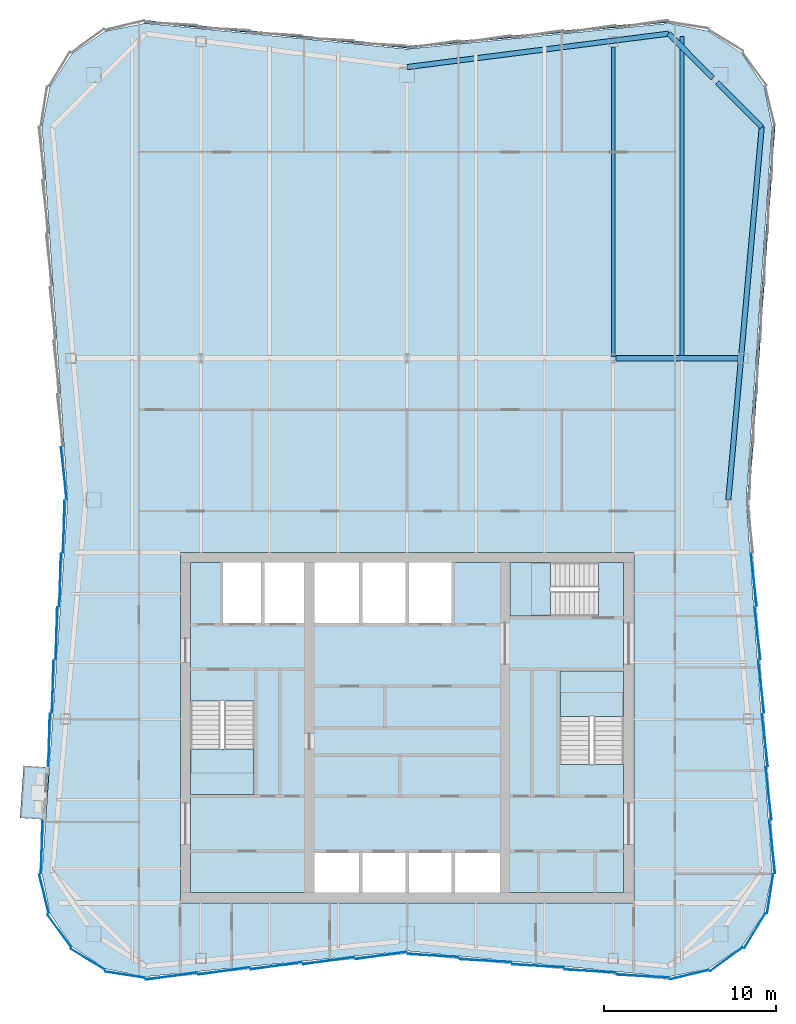
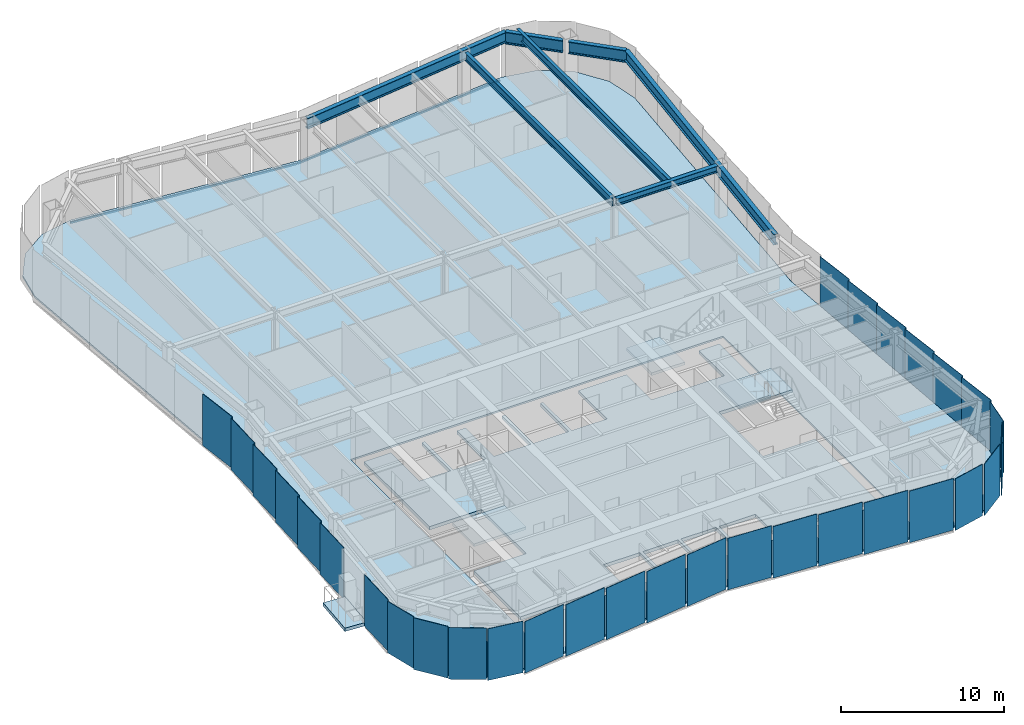
# One storey, part 4 of 10: 31 plates, 7 beams, 6 slabs, 3 members, 9 elements without a shape of their own.
"""IFC4 building model written with IfcOpenShell, lengths in metres."""

import ifcopenshell
import ifcopenshell.guid

model = None  # the IFC model being written
_history = None  # IfcOwnerHistory: only IFC2X3 demands one
_inside = {}  # id of a spatial element -> (the spatial element, [elements in it])
_under = {}  # id of a project, library or spatial element -> (it, [spatial elements below it])
_declared = {}  # id of a project -> (the project, [libraries it declares])
_typed = {}  # id of a type object -> (the type object, [elements of that type])
_made_of = {}  # id of a material, layer set ... -> (it, [elements and type objects made of it])


def new_model(schema):
    """Start an empty IFC model of exactly this schema.

    Asked for "IFC4X3", IfcOpenShell would pick the latest addendum, in which some entities
    have other attributes; the version numbers below select the first issue.
    IFC2X3 requires an IfcOwnerHistory on every rooted entity: one is made here for all.
    """
    global model, _history
    if schema == "IFC4X3":
        model = ifcopenshell.file(schema_version=(4, 3, 0, 0))
    else:
        model = ifcopenshell.file(schema=schema)
    _inside.clear()
    _under.clear()
    _declared.clear()
    _typed.clear()
    _made_of.clear()
    _history = None
    if model.schema == "IFC2X3":
        org = make("IfcOrganization", Name="unknown")
        user = make(
            "IfcPersonAndOrganization",
            ThePerson=make("IfcPerson", FamilyName="unknown"),
            TheOrganization=org,
        )
        app = make(
            "IfcApplication",
            ApplicationDeveloper=org,
            Version="unknown",
            ApplicationFullName="unknown",
            ApplicationIdentifier="unknown",
        )
        _history = make(
            "IfcOwnerHistory",
            OwningUser=user,
            OwningApplication=app,
            ChangeAction="ADDED",
            CreationDate=0,
        )
    return model


def make(cls, **values):
    """One entity of the class cls with the attributes given. An attribute that is None is left unset."""
    return model.create_entity(
        cls, **{name: value for name, value in values.items() if value is not None}
    )


def rooted(cls, **values):
    """An entity with a GlobalId (a new one), such as an element, a storey or a relation."""
    return make(cls, GlobalId=ifcopenshell.guid.new(), OwnerHistory=_history, **values)


def si_unit(unit_type, name, prefix=None):
    """IfcSIUnit, for example si_unit("LENGTHUNIT", "METRE", prefix="MILLI")."""
    return make("IfcSIUnit", UnitType=unit_type, Prefix=prefix, Name=name)


def assignment(units):
    """IfcUnitAssignment: the units of a project."""
    return None if units is None else make("IfcUnitAssignment", Units=units)


def point(xyz):
    """IfcCartesianPoint."""
    return None if xyz is None else make("IfcCartesianPoint", Coordinates=xyz)


def direction(xyz):
    """IfcDirection."""
    return None if xyz is None else make("IfcDirection", DirectionRatios=xyz)


def frame(location, z_axis=None, x_axis=None):
    """IfcAxis2Placement3D, a coordinate frame: its origin and axes. An axis left out is left unset."""
    return make(
        "IfcAxis2Placement3D",
        Location=point(location),
        Axis=direction(z_axis),
        RefDirection=direction(x_axis),
    )


def frame_2d(location, x_axis=None):
    """IfcAxis2Placement2D, a coordinate frame in the plane: its origin and x axis."""
    return make(
        "IfcAxis2Placement2D", Location=point(location), RefDirection=direction(x_axis)
    )


def origin():
    """The frame at (0, 0, 0) with its axes left unset."""
    return frame((0.0, 0.0, 0.0))


def origin_2d():
    """The frame at (0, 0) in the plane with its x axis left unset."""
    return frame_2d((0.0, 0.0))


def place(relative_to, where):
    """IfcLocalPlacement: puts the frame where relative to a parent placement (None: the world)."""
    return make(
        "IfcLocalPlacement", PlacementRelTo=relative_to, RelativePlacement=where
    )


def context(
    kind, dimensions, precision=None, world=None, true_north=None, identifier=None
):
    """IfcGeometricRepresentationContext, for example the 3D "Model" context."""
    return make(
        "IfcGeometricRepresentationContext",
        ContextIdentifier=identifier,
        ContextType=kind,
        CoordinateSpaceDimension=dimensions,
        Precision=precision,
        WorldCoordinateSystem=world,
        TrueNorth=true_north,
    )


def subcontext(parent, identifier, kind, view, scale=None):
    """IfcGeometricRepresentationSubContext, for example "Body" below "Model"."""
    return make(
        "IfcGeometricRepresentationSubContext",
        ContextIdentifier=identifier,
        ContextType=kind,
        ParentContext=parent,
        TargetScale=scale,
        TargetView=view,
    )


def project(units=None, contexts=None):
    """IfcProject with its units and contexts."""
    return rooted(
        "IfcProject",
        Name="project",
        RepresentationContexts=contexts,
        UnitsInContext=assignment(units),
    )


def spatial(cls, under=None, at=None, **own):
    """A site, building, storey or space (cls), placed at a placement, below another one or the project."""
    s = rooted(cls, ObjectPlacement=at, **own)
    if under is not None:
        _under.setdefault(under.id(), (under, []))[1].append(s)
    return s


def polyline(points):
    """IfcPolyline through the points."""
    return make("IfcPolyline", Points=[point(p) for p in points])


def profile(cls, at=None, kind="AREA", **sizes):
    """A parametric profile (cls). Its sizes go by their IFC names, for example OverallWidth=200.0."""
    return make(cls, ProfileType=kind, Position=at, **sizes)


def rectangle(**sizes):
    """IfcRectangleProfileDef."""
    return profile("IfcRectangleProfileDef", **sizes)


def i_section(**sizes):
    """IfcIShapeProfileDef."""
    return profile("IfcIShapeProfileDef", **sizes)


def outline(outer, holes=None, kind="AREA"):
    """IfcArbitraryClosedProfileDef: a profile drawn as a closed curve; with holes, ...WithVoids."""
    if holes is None:
        return make("IfcArbitraryClosedProfileDef", ProfileType=kind, OuterCurve=outer)
    return make(
        "IfcArbitraryProfileDefWithVoids",
        ProfileType=kind,
        OuterCurve=outer,
        InnerCurves=holes,
    )


def extrude(swept, where, along, depth):
    """IfcExtrudedAreaSolid: the profile swept, set in the frame where, extruded along a direction by depth."""
    return make(
        "IfcExtrudedAreaSolid",
        SweptArea=swept,
        Position=where,
        ExtrudedDirection=direction(along),
        Depth=depth,
    )


def shape(context_of_items, identifier, shape_type, items):
    """IfcShapeRepresentation: the items that make up one representation, for example the "Body"."""
    return make(
        "IfcShapeRepresentation",
        ContextOfItems=context_of_items,
        RepresentationIdentifier=identifier,
        RepresentationType=shape_type,
        Items=items,
    )


def material(Name=None, Category=None):
    """IfcMaterial."""
    return make("IfcMaterial", Name=Name, Category=Category)


def layer(
    of_material, thickness, ventilated=None, Name=None, Category=None, Priority=None
):
    """IfcMaterialLayer: one layer of a wall or slab, of a material (None: an air gap)."""
    return make(
        "IfcMaterialLayer",
        Material=of_material,
        LayerThickness=thickness,
        IsVentilated=ventilated,
        Name=Name,
        Category=Category,
        Priority=Priority,
    )


def layer_set(layers, Name=None):
    """IfcMaterialLayerSet."""
    return make("IfcMaterialLayerSet", MaterialLayers=layers, LayerSetName=Name)


def material_profile(
    of_material, cross_section, Name=None, Category=None, Priority=None
):
    """IfcMaterialProfile: a cross section and its material."""
    return make(
        "IfcMaterialProfile",
        Name=Name,
        Material=of_material,
        Profile=cross_section,
        Priority=Priority,
        Category=Category,
    )


def profile_set(profiles, Name=None, composite=None):
    """IfcMaterialProfileSet."""
    return make(
        "IfcMaterialProfileSet",
        Name=Name,
        MaterialProfiles=profiles,
        CompositeProfile=composite,
    )


def made_of(thing, what):
    """Note that an element or type object is made of a material, layer set ...; save() writes the relation."""
    if what is not None:
        _made_of.setdefault(what.id(), (what, []))[1].append(thing)
    return thing


def type_object(cls, material=None, **own):
    """A type object (cls), such as IfcWallType, which elements share."""
    return made_of(rooted(cls, **own), material)


def element(
    cls,
    number,
    at=None,
    inside=None,
    cuts=None,
    type_object=None,
    material=None,
    context=None,
    identifier="Body",
    shape_type=None,
    held_by="IfcProductDefinitionShape",
    body=None,
    shapes=None,
    **own,
):
    """One element of the class cls, such as IfcWall. Its Tag is "e" and its number.

    at: its placement. inside: the storey or other place that contains it. cuts: it is an
    opening in that element (IfcRelVoidsElement). A single representation is given by context,
    identifier, shape_type and body (its items); several are given by shapes. held_by: the class
    of the entity that holds the representations. save() writes the other relations.
    """
    e = rooted(cls, Tag="e%d" % number, ObjectPlacement=at, **own)
    if body is not None:
        shapes = [shape(context, identifier, shape_type, body)]
    if shapes is not None:
        e.Representation = make(held_by, Representations=shapes)
    if inside is not None:
        _inside.setdefault(inside.id(), (inside, []))[1].append(e)
    if cuts is not None:
        rooted(
            "IfcRelVoidsElement", RelatingBuildingElement=cuts, RelatedOpeningElement=e
        )
    if type_object is not None:
        _typed.setdefault(type_object.id(), (type_object, []))[1].append(e)
    return made_of(e, material)


def aggregate(whole, parts):
    """IfcRelAggregates: a whole, such as a stair, and the parts it consists of."""
    return rooted("IfcRelAggregates", RelatingObject=whole, RelatedObjects=parts)


def save(model, path):
    """Write the relations noted so far, then the file.

    IfcRelAggregates (storeys below a building ...), IfcRelContainedInSpatialStructure (elements
    in a storey), IfcRelDefinesByType, IfcRelAssociatesMaterial and IfcRelDeclares: one each for
    every whole, place, type object, material and project.
    """
    for whole, parts in _under.values():
        aggregate(whole, parts)
    for where, things in _inside.values():
        rooted(
            "IfcRelContainedInSpatialStructure",
            RelatedElements=things,
            RelatingStructure=where,
        )
    for kind, things in _typed.values():
        rooted("IfcRelDefinesByType", RelatedObjects=things, RelatingType=kind)
    for what, things in _made_of.values():
        rooted("IfcRelAssociatesMaterial", RelatedObjects=things, RelatingMaterial=what)
    for by, libraries in _declared.values():
        rooted("IfcRelDeclares", RelatingContext=by, RelatedDefinitions=libraries)
    model.write(path)


model = new_model("IFC4")

# Units and contexts
model_context = context("Model", 3, precision=1e-05, world=origin(), true_north=direction((0.0, 1.0)))
body_context = subcontext(model_context, "Body", "Model", "MODEL_VIEW")
ifc_project = project(units=[si_unit("LENGTHUNIT", "METRE"), si_unit("AREAUNIT", "SQUARE_METRE"), si_unit("VOLUMEUNIT", "CUBIC_METRE"), si_unit("PLANEANGLEUNIT", "RADIAN"), si_unit("MASSUNIT", "GRAM", prefix="KILO")], contexts=[model_context])

# Site, building, storey
site_placement = place(None, origin())
site = spatial("IfcSite", under=ifc_project, at=site_placement, CompositionType="ELEMENT")
building_placement = place(site_placement, origin())
building = spatial("IfcBuilding", under=site, at=building_placement, Name="Verdant Reach Tower", CompositionType="ELEMENT")
storey_placement = place(building_placement, frame((0.0, 0.0, 326.0)))
storey = spatial("IfcBuildingStorey", under=building, at=storey_placement, Name="L75", CompositionType="ELEMENT", Elevation=326.0)

# Curtain wall, member
ifc_material_1 = material(Name="Anodised aluminium", Category="aluminium")
curtain_wall_type = type_object("IfcCurtainWallType", Name="EN-CW SYSTEM Z5", PredefinedType="NOTDEFINED", material=ifc_material_1)
curtain_wall_1_placement = place(storey_placement, origin())
curtain_wall_1 = element("IfcCurtainWall", 1, at=curtain_wall_1_placement, inside=storey, type_object=curtain_wall_type, Name="Curtain wall east, L75", PredefinedType="NOTDEFINED")
ifc_material_profile_1 = material_profile(ifc_material_1, rectangle(XDim=0.10009765625, YDim=0.1298828125, at=origin_2d()), Name="Transom 130x100")
ifc_profile_set_1 = profile_set([ifc_material_profile_1], Name="Anodised aluminium")
member_type = type_object("IfcMemberType", Name="EN-TRANSOM Z5", PredefinedType="USERDEFINED", material=ifc_profile_set_1)
member_1_placement = place(storey_placement, frame((19.867431640625, 41.284912109375, -0.284912109375), z_axis=(0.068764705107, 0.997632906099, 0.0), x_axis=(-0.997632906099, 0.068764705107, 0.0)))
member_1 = element("IfcMember", 2, at=member_1_placement, type_object=member_type, Name="Transom east face part 2 1.1, L75", ObjectType="TRANSOM", PredefinedType="USERDEFINED", context=body_context, shape_type="SweptSolid", body=[
    extrude(rectangle(XDim=0.10009765625, YDim=0.1298828125, at=origin_2d()), origin(), (0.0, 0.0, 1.0), 21.739013671875),
])

# Curtain wall, members
curtain_wall_2_placement = place(storey_placement, origin())
curtain_wall_2 = element("IfcCurtainWall", 3, at=curtain_wall_2_placement, inside=storey, type_object=curtain_wall_type, Name="Curtain wall north, L75", PredefinedType="NOTDEFINED")
member_2_placement = place(storey_placement, frame((15.220703125, 69.111328125, -0.284912109375), z_axis=(-0.99520229006, -0.097838652171, 0.0), x_axis=(0.097838652171, -0.99520229006, 0.0)))
member_2 = element("IfcMember", 4, at=member_2_placement, type_object=member_type, Name="Transom north face part 1 1.1, L75", ObjectType="TRANSOM", PredefinedType="USERDEFINED", context=body_context, shape_type="SweptSolid", body=[
    extrude(rectangle(XDim=0.10009765625, YDim=0.1298828125, at=origin_2d()), origin(), (0.0, 0.0, 1.0), 15.259033203125),
])
member_3_placement = place(storey_placement, frame((-0.034912109375, 67.618408203125, -0.284912109375), z_axis=(-0.99520229006, 0.097838652171, 0.0), x_axis=(-0.097838652171, -0.99520229006, 0.0)))
member_3 = element("IfcMember", 5, at=member_3_placement, type_object=member_type, Name="Transom north face part 2 1.1, L75", ObjectType="TRANSOM", PredefinedType="USERDEFINED", context=body_context, shape_type="SweptSolid", body=[
    extrude(rectangle(XDim=0.10009765625, YDim=0.1298828125, at=origin_2d()), origin(), (0.0, 0.0, 1.0), 15.259033203125),
])
aggregate(curtain_wall_2, [member_2, member_3])

# Beams
ifc_material_2 = material(Name="Steel S355", Category="steel")
ifc_material_profile_2 = material_profile(ifc_material_2, i_section(OverallWidth=0.300048828125, OverallDepth=0.489990234375, WebThickness=0.011962890625, FlangeThickness=0.02294921875, FilletRadius=0.027099609375, at=origin_2d()), Name="HEA 500")
ifc_profile_set_2 = profile_set([ifc_material_profile_2], Name="Steel S355")
beam_type_1 = type_object("IfcBeamType", Name="ST-BEAM-HEA500", PredefinedType="BEAM", material=ifc_profile_set_2)
beam_1_placement = place(storey_placement, frame((12.153076171875, 49.5, 3.625), z_axis=(1.0, 0.0, 0.0), x_axis=(0.0, 1.0, 0.0)))
element("IfcBeam", 6, at=beam_1_placement, inside=storey, type_object=beam_type_1, Name="Row girder, L75", PredefinedType="BEAM", context=body_context, shape_type="SweptSolid", body=[
    extrude(i_section(OverallWidth=0.300048828125, OverallDepth=0.489990234375, WebThickness=0.011962890625, FlangeThickness=0.02294921875, FilletRadius=0.027099609375, at=origin_2d()), origin(), (0.0, 0.0, 1.0), 7.115966796875),
])
ifc_material_profile_3 = material_profile(ifc_material_2, i_section(OverallWidth=0.219970703125, OverallDepth=0.60009765625, WebThickness=0.011962890625, FlangeThickness=0.01904296875, FilletRadius=0.02392578125, at=origin_2d()), Name="IPE 600")
ifc_profile_set_3 = profile_set([ifc_material_profile_3], Name="Steel S355")
beam_type_2 = type_object("IfcBeamType", Name="ST-JOIST-IPE600", PredefinedType="JOIST", material=ifc_profile_set_3)
beam_2_placement = place(storey_placement, frame((12.0, 49.60009765625, 3.570068359375), z_axis=(0.0, 1.0, 0.0), x_axis=(-1.0, 0.0, 0.0)))
element("IfcBeam", 7, at=beam_2_placement, inside=storey, type_object=beam_type_2, Name="Floor joist, L75", PredefinedType="JOIST", context=body_context, shape_type="SweptSolid", body=[
    extrude(i_section(OverallWidth=0.219970703125, OverallDepth=0.60009765625, WebThickness=0.011962890625, FlangeThickness=0.01904296875, FilletRadius=0.02392578125, at=origin_2d()), origin(), (0.0, 0.0, 1.0), 18.0302734375),
])
beam_3_placement = place(storey_placement, frame((16.0, 49.60009765625, 3.570068359375), z_axis=(0.0, 1.0, 0.0), x_axis=(-1.0, 0.0, 0.0)))
element("IfcBeam", 8, at=beam_3_placement, inside=storey, type_object=beam_type_2, Name="Floor joist, L75", PredefinedType="JOIST", context=body_context, shape_type="SweptSolid", body=[
    extrude(i_section(OverallWidth=0.219970703125, OverallDepth=0.60009765625, WebThickness=0.011962890625, FlangeThickness=0.01904296875, FilletRadius=0.02392578125, at=origin_2d()), origin(), (0.0, 0.0, 1.0), 18.638916015625),
])
ifc_material_profile_4 = material_profile(ifc_material_2, i_section(OverallWidth=0.300048828125, OverallDepth=0.800048828125, WebThickness=0.017578125, FlangeThickness=0.032958984375, FilletRadius=0.030029296875, at=origin_2d()), Name="HEB 800")
ifc_profile_set_4 = profile_set([ifc_material_profile_4], Name="Steel S355")
beam_type_3 = type_object("IfcBeamType", Name="ST-SPANDREL-HEB800", PredefinedType="SPANDREL", material=ifc_profile_set_4)
beam_4_placement = place(storey_placement, frame((0.0, 66.449951171875, 3.469970703125), z_axis=(0.991938889669, 0.126717162063, 0.0), x_axis=(-0.126717162063, 0.991938889669, 0.0)))
element("IfcBeam", 9, at=beam_4_placement, inside=storey, type_object=beam_type_3, Name="Edge beam, L75", PredefinedType="SPANDREL", context=body_context, shape_type="SweptSolid", body=[
    extrude(i_section(OverallWidth=0.300048828125, OverallDepth=0.800048828125, WebThickness=0.017578125, FlangeThickness=0.032958984375, FilletRadius=0.030029296875, at=origin_2d()), origin(), (0.0, 0.0, 1.0), 15.343994140625),
])
beam_5_placement = place(storey_placement, frame((20.64599609375, 62.96142578125, 3.469970703125), z_axis=(-0.089274399498, -0.996007069048, 0.0), x_axis=(0.996007069048, -0.089274399498, 0.0)))
element("IfcBeam", 10, at=beam_5_placement, inside=storey, type_object=beam_type_3, Name="Edge beam, L75", PredefinedType="SPANDREL", context=body_context, shape_type="SweptSolid", body=[
    extrude(i_section(OverallWidth=0.300048828125, OverallDepth=0.800048828125, WebThickness=0.017578125, FlangeThickness=0.032958984375, FilletRadius=0.030029296875, at=origin_2d()), origin(), (0.0, 0.0, 1.0), 21.798583984375),
])
ifc_material_profile_5 = material_profile(ifc_material_2, i_section(OverallWidth=0.302001953125, OverallDepth=0.909912109375, WebThickness=0.02099609375, FlangeThickness=0.0400390625, FilletRadius=0.030029296875, at=origin_2d()), Name="HEM 900")
ifc_profile_set_5 = profile_set([ifc_material_profile_5], Name="Steel S355")
beam_type_4 = type_object("IfcBeamType", Name="ST-SPANDREL-HEM900", PredefinedType="SPANDREL", material=ifc_profile_set_5)
beam_6_placement = place(storey_placement, frame((15.22021484375, 68.394287109375, 3.4150390625), z_axis=(0.706638520854, -0.707574731632, 0.0), x_axis=(0.707574731632, 0.706638520854, 0.0)))
element("IfcBeam", 11, at=beam_6_placement, inside=storey, type_object=beam_type_4, Name="Edge beam, L75", PredefinedType="SPANDREL", context=body_context, shape_type="SweptSolid", body=[
    extrude(i_section(OverallWidth=0.302001953125, OverallDepth=0.909912109375, WebThickness=0.02099609375, FlangeThickness=0.0400390625, FilletRadius=0.030029296875, at=origin_2d()), origin(), (0.0, 0.0, 1.0), 3.65087890625),
])
beam_7_placement = place(storey_placement, frame((18.060791015625, 65.550048828125, 3.4150390625), z_axis=(0.706639493403, -0.707573760369, 0.0), x_axis=(0.707573760369, 0.706639493403, 0.0)))
element("IfcBeam", 12, at=beam_7_placement, inside=storey, type_object=beam_type_4, Name="Edge beam, L75", PredefinedType="SPANDREL", context=body_context, shape_type="SweptSolid", body=[
    extrude(i_section(OverallWidth=0.302001953125, OverallDepth=0.909912109375, WebThickness=0.02099609375, FlangeThickness=0.0400390625, FilletRadius=0.030029296875, at=origin_2d()), origin(), (0.0, 0.0, 1.0), 3.658447265625),
])

# Stair, slab
ifc_material_3 = material(Name="Concrete C40/50", Category="concrete")
stair_type = type_object("IfcStairType", Name="CO-STAIR", PredefinedType="HALF_TURN_STAIR", material=ifc_material_3)
stair_1_placement = place(storey_placement, origin())
stair_1 = element("IfcStair", 13, at=stair_1_placement, inside=storey, type_object=stair_type, Name="L75 Exit stair 1", PredefinedType="HALF_TURN_STAIR")
ifc_layer_1 = layer(ifc_material_3, 0.199951171875)
ifc_layer_set_1 = layer_set([ifc_layer_1], Name="CO-STAIR-LANDING")
slab_type_1 = type_object("IfcSlabType", Name="CO-STAIR-LANDING", PredefinedType="LANDING", material=ifc_layer_set_1)
slab_1_placement = place(storey_placement, frame((0.0, 0.0, 1.800048828125)))
slab_1 = element("IfcSlab", 14, at=slab_1_placement, type_object=slab_type_1, Name="ST-1 landing 1", PredefinedType="LANDING", context=body_context, shape_type="SweptSolid", body=[
    extrude(outline(polyline([(-12.60009765625, 26.75), (-12.60009765625, 24.10009765625), (-8.89990234375, 24.10009765625), (-8.89990234375, 26.75), (-12.60009765625, 26.75)])), origin(), (0.0, 0.0, 1.0), 0.199951171875),
])
aggregate(stair_1, [slab_1])

stair_2_placement = place(storey_placement, origin())
stair_2 = element("IfcStair", 15, at=stair_2_placement, inside=storey, type_object=stair_type, Name="L75 Exit stair 2", PredefinedType="HALF_TURN_STAIR")
slab_2_placement = place(storey_placement, frame((0.0, 0.0, 1.800048828125)))
slab_2 = element("IfcSlab", 16, at=slab_2_placement, type_object=slab_type_1, Name="ST-2 landing 1", PredefinedType="LANDING", context=body_context, shape_type="SweptSolid", body=[
    extrude(outline(polyline([(12.60009765625, 28.64990234375), (12.60009765625, 31.300048828125), (8.89990234375, 31.300048828125), (8.89990234375, 28.64990234375), (12.60009765625, 28.64990234375)])), origin(), (0.0, 0.0, 1.0), 0.199951171875),
])
aggregate(stair_2, [slab_2])

stair_3_placement = place(storey_placement, origin())
stair_3 = element("IfcStair", 17, at=stair_3_placement, inside=storey, type_object=stair_type, Name="L75 Exit stair 3", PredefinedType="HALF_TURN_STAIR")
slab_3_placement = place(storey_placement, frame((0.0, 0.0, 1.800048828125)))
slab_3 = element("IfcSlab", 18, at=slab_3_placement, type_object=slab_type_1, Name="ST-3 landing 1", PredefinedType="LANDING", context=body_context, shape_type="SweptSolid", body=[
    extrude(outline(polyline([(8.35009765625, 37.60009765625), (6.0, 37.60009765625), (6.0, 34.5), (8.35009765625, 34.5), (8.35009765625, 37.60009765625)])), origin(), (0.0, 0.0, 1.0), 0.199951171875),
])
aggregate(stair_3, [slab_3])

# Slab
ifc_material_4 = material(Name="Concrete C35/45", Category="concrete")
ifc_layer_2 = layer(ifc_material_4, 0.25)
ifc_layer_set_2 = layer_set([ifc_layer_2], Name="EN-BALCONY SLAB")
slab_type_2 = type_object("IfcSlabType", Name="EN-BALCONY SLAB", PredefinedType="FLOOR", material=ifc_layer_set_2)
slab_4_placement = place(storey_placement, frame((0.0, 0.0, -0.25)))
element("IfcSlab", 19, at=slab_4_placement, inside=storey, type_object=slab_type_2, Name="Balcony slab 1, L75", PredefinedType="FLOOR", context=body_context, shape_type="SweptSolid", body=[
    extrude(outline(polyline([(-20.82373046875, 25.679443359375), (-21.033203125, 22.64208984375), (-22.52978515625, 22.745361328125), (-22.3203125, 25.782470703125), (-20.82373046875, 25.679443359375)])), origin(), (0.0, 0.0, 1.0), 0.25),
])

# Curtain wall, plates
curtain_wall_3_placement = place(storey_placement, origin())
curtain_wall_3 = element("IfcCurtainWall", 20, at=curtain_wall_3_placement, inside=storey, type_object=curtain_wall_type, Name="Curtain wall south-east corner, L75", PredefinedType="NOTDEFINED")
ifc_material_5 = material(Name="Tinted glass with champagne spandrel", Category="glass")
ifc_layer_3 = layer(ifc_material_5, 0.031982421875)
ifc_layer_set_3 = layer_set([ifc_layer_3], Name="EN-PANEL CHAMPAGNE")
plate_type_1 = type_object("IfcPlateType", Name="EN-PANEL CHAMPAGNE", PredefinedType="CURTAIN_PANEL", material=ifc_layer_set_3)
plate_1_placement = place(storey_placement, frame((16.4228515625, 13.61767578125, -0.219970703125), z_axis=(0.0, 0.0, 1.0), x_axis=(0.971661765526, 0.236375577028, 0.0)))
plate_1 = element("IfcPlate", 21, at=plate_1_placement, type_object=plate_type_1, Name="Glass panel south-east corner 1.1, L75", PredefinedType="CURTAIN_PANEL", context=body_context, shape_type="SweptSolid", body=[
    extrude(rectangle(XDim=2.314453125, YDim=0.031982421875, at=origin_2d()), origin(), (0.0, 0.0, 1.0), 3.8701171875),
])
plate_2_placement = place(storey_placement, frame((18.58203125, 14.51318359375, -0.219970703125), z_axis=(0.0, 0.0, 1.0), x_axis=(0.807456783236, 0.58992672698, 0.0)))
plate_2 = element("IfcPlate", 22, at=plate_2_placement, type_object=plate_type_1, Name="Glass panel south-east corner 2.1, L75", PredefinedType="CURTAIN_PANEL", context=body_context, shape_type="SweptSolid", body=[
    extrude(rectangle(XDim=2.320068359375, YDim=0.031982421875, at=origin_2d()), origin(), (0.0, 0.0, 1.0), 3.8701171875),
])

# Plate
plate_3_placement = place(storey_placement, frame((20.18603515625, 36.59716796875, -0.219970703125), z_axis=(0.0, 0.0, 1.0), x_axis=(-0.110518162674, 0.993874104562, 0.0)))
plate_3 = element("IfcPlate", 23, at=plate_3_placement, type_object=plate_type_1, Name="Glass panel east face part 1 6.1, L75", PredefinedType="CURTAIN_PANEL", context=body_context, shape_type="SweptSolid", body=[
    extrude(rectangle(XDim=3.048583984375, YDim=0.031982421875, at=origin_2d()), origin(), (0.0, 0.0, 1.0), 3.8701171875),
])

# Curtain wall, plates
curtain_wall_4_placement = place(storey_placement, origin())
curtain_wall_4 = element("IfcCurtainWall", 24, at=curtain_wall_4_placement, inside=storey, type_object=curtain_wall_type, Name="Curtain wall west, L75", PredefinedType="NOTDEFINED")
plate_4_placement = place(storey_placement, frame((-20.61474609375, 30.3828125, -0.219970703125), z_axis=(0.0, 0.0, 1.0), x_axis=(-0.026965318308, -0.999636369691, 0.0)))
plate_4 = element("IfcPlate", 25, at=plate_4_placement, type_object=plate_type_1, Name="Glass panel west face part 2 4.1, L75", PredefinedType="CURTAIN_PANEL", context=body_context, shape_type="SweptSolid", body=[
    extrude(rectangle(XDim=3.048583984375, YDim=0.031982421875, at=origin_2d()), origin(), (0.0, 0.0, 1.0), 3.8701171875),
])
plate_5_placement = place(storey_placement, frame((-20.8291015625, 27.27587890625, -0.219970703125), z_axis=(0.0, 0.0, 1.0), x_axis=(-0.026965318308, -0.999636369691, 0.0)))
plate_5 = element("IfcPlate", 26, at=plate_5_placement, type_object=plate_type_1, Name="Glass panel west face part 2 5.1, L75", PredefinedType="CURTAIN_PANEL", context=body_context, shape_type="SweptSolid", body=[
    extrude(rectangle(XDim=3.048583984375, YDim=0.031982421875, at=origin_2d()), origin(), (0.0, 0.0, 1.0), 3.8701171875),
])

curtain_wall_5_placement = place(storey_placement, origin())
curtain_wall_5 = element("IfcCurtainWall", 27, at=curtain_wall_5_placement, inside=storey, type_object=curtain_wall_type, Name="Curtain wall south-west corner, L75", PredefinedType="NOTDEFINED")
plate_6_placement = place(storey_placement, frame((-20.23681640625, 16.16796875, -0.219970703125), z_axis=(0.0, 0.0, 1.0), x_axis=(0.58992672698, -0.807456783236, 0.0)))
plate_6 = element("IfcPlate", 28, at=plate_6_placement, type_object=plate_type_1, Name="Glass panel south-west corner 2.1, L75", PredefinedType="CURTAIN_PANEL", context=body_context, shape_type="SweptSolid", body=[
    extrude(rectangle(XDim=2.320068359375, YDim=0.031982421875, at=origin_2d()), origin(), (0.0, 0.0, 1.0), 3.8701171875),
])
plate_7_placement = place(storey_placement, frame((-18.58203125, 14.51318359375, -0.219970703125), z_axis=(0.0, 0.0, 1.0), x_axis=(0.853988714885, -0.520291528711, 0.0)))
plate_7 = element("IfcPlate", 29, at=plate_7_placement, type_object=plate_type_1, Name="Glass panel south-west corner 3.1, L75", PredefinedType="CURTAIN_PANEL", context=body_context, shape_type="SweptSolid", body=[
    extrude(rectangle(XDim=2.320068359375, YDim=0.031982421875, at=origin_2d()), origin(), (0.0, 0.0, 1.0), 3.8701171875),
])
plate_8_placement = place(storey_placement, frame((-16.4228515625, 13.61767578125, -0.219970703125), z_axis=(0.0, 0.0, 1.0), x_axis=(0.988033409454, -0.154240013621, 0.0)))
plate_8 = element("IfcPlate", 30, at=plate_8_placement, type_object=plate_type_1, Name="Glass panel south-west corner 4.1, L75", PredefinedType="CURTAIN_PANEL", context=body_context, shape_type="SweptSolid", body=[
    extrude(rectangle(XDim=2.314453125, YDim=0.031982421875, at=origin_2d()), origin(), (0.0, 0.0, 1.0), 3.8701171875),
])

curtain_wall_6_placement = place(storey_placement, origin())
curtain_wall_6 = element("IfcCurtainWall", 31, at=curtain_wall_6_placement, inside=storey, type_object=curtain_wall_type, Name="Curtain wall south, L75", PredefinedType="NOTDEFINED")
plate_9_placement = place(storey_placement, frame((-13.72216796875, 13.535400390625, -0.219970703125), z_axis=(0.0, 0.0, 1.0), x_axis=(0.990281521639, 0.139077345032, 0.0)))
plate_9 = element("IfcPlate", 32, at=plate_9_placement, type_object=plate_type_1, Name="Glass panel south face part 1 1.1, L75", PredefinedType="CURTAIN_PANEL", context=body_context, shape_type="SweptSolid", body=[
    extrude(rectangle(XDim=3.015625, YDim=0.031982421875, at=origin_2d()), origin(), (0.0, 0.0, 1.0), 3.8701171875),
])
plate_10_placement = place(storey_placement, frame((-10.663818359375, 13.83544921875, -0.219970703125), z_axis=(0.0, 0.0, 1.0), x_axis=(0.990225318365, 0.139476947446, 0.0)))
plate_10 = element("IfcPlate", 33, at=plate_10_placement, type_object=plate_type_1, Name="Glass panel south face part 1 2.1, L75", PredefinedType="CURTAIN_PANEL", context=body_context, shape_type="SweptSolid", body=[
    extrude(rectangle(XDim=2.998779296875, YDim=0.031982421875, at=origin_2d()), origin(), (0.0, 0.0, 1.0), 3.8701171875),
])
plate_11_placement = place(storey_placement, frame((4.563720703125, 14.435546875, -0.219970703125), z_axis=(0.0, 0.0, 1.0), x_axis=(0.998423588956, -0.056127863106, 0.0)))
plate_11 = element("IfcPlate", 34, at=plate_11_placement, type_object=plate_type_1, Name="Glass panel south face part 2 2.1, L75", PredefinedType="CURTAIN_PANEL", context=body_context, shape_type="SweptSolid", body=[
    extrude(rectangle(XDim=2.998779296875, YDim=0.031982421875, at=origin_2d()), origin(), (0.0, 0.0, 1.0), 3.8701171875),
])
plate_12_placement = place(storey_placement, frame((7.61376953125, 14.135498046875, -0.219970703125), z_axis=(0.0, 0.0, 1.0), x_axis=(0.998423588956, -0.056127863106, 0.0)))
plate_12 = element("IfcPlate", 35, at=plate_12_placement, type_object=plate_type_1, Name="Glass panel south face part 2 3.1, L75", PredefinedType="CURTAIN_PANEL", context=body_context, shape_type="SweptSolid", body=[
    extrude(rectangle(XDim=2.998779296875, YDim=0.031982421875, at=origin_2d()), origin(), (0.0, 0.0, 1.0), 3.8701171875),
])

# Plate
ifc_material_6 = material(Name="Tinted glass with copper spandrel", Category="glass")
ifc_layer_4 = layer(ifc_material_6, 0.031982421875)
ifc_layer_set_4 = layer_set([ifc_layer_4], Name="EN-PANEL COPPER")
plate_type_2 = type_object("IfcPlateType", Name="EN-PANEL COPPER", PredefinedType="CURTAIN_PANEL", material=ifc_layer_set_4)
plate_13_placement = place(storey_placement, frame((20.23681640625, 16.16796875, -0.219970703125), z_axis=(0.0, 0.0, 1.0), x_axis=(0.520291528711, 0.853988714885, 0.0)))
plate_13 = element("IfcPlate", 36, at=plate_13_placement, type_object=plate_type_2, Name="Glass panel south-east corner 3.1, L75", PredefinedType="CURTAIN_PANEL", context=body_context, shape_type="SweptSolid", body=[
    extrude(rectangle(XDim=2.320068359375, YDim=0.031982421875, at=origin_2d()), origin(), (0.0, 0.0, 1.0), 3.8701171875),
])

plate_14_placement = place(storey_placement, frame((21.132080078125, 18.326171875, -0.219970703125), z_axis=(0.0, 0.0, 1.0), x_axis=(0.154337499461, 0.988018186199, 0.0)))
plate_14 = element("IfcPlate", 37, at=plate_14_placement, type_object=plate_type_2, Name="Glass panel south-east corner 4.1, L75", PredefinedType="CURTAIN_PANEL", context=body_context, shape_type="SweptSolid", body=[
    extrude(rectangle(XDim=2.312744140625, YDim=0.031982421875, at=origin_2d()), origin(), (0.0, 0.0, 1.0), 3.8701171875),
])

aggregate(curtain_wall_3, [plate_1, plate_2, plate_13, plate_14])

plate_15_placement = place(storey_placement, frame((21.257568359375, 21.053955078125, -0.219970703125), z_axis=(0.0, 0.0, 1.0), x_axis=(-0.110197580247, 0.993909700782, 0.0)))
plate_15 = element("IfcPlate", 38, at=plate_15_placement, type_object=plate_type_2, Name="Glass panel east face part 1 1.1, L75", PredefinedType="CURTAIN_PANEL", context=body_context, shape_type="SweptSolid", body=[
    extrude(rectangle(XDim=3.063720703125, YDim=0.031982421875, at=origin_2d()), origin(), (0.0, 0.0, 1.0), 3.8701171875),
])

plate_16_placement = place(storey_placement, frame((21.043212890625, 24.168701171875, -0.219970703125), z_axis=(0.0, 0.0, 1.0), x_axis=(-0.110518162674, 0.993874104562, 0.0)))
plate_16 = element("IfcPlate", 39, at=plate_16_placement, type_object=plate_type_2, Name="Glass panel east face part 1 2.1, L75", PredefinedType="CURTAIN_PANEL", context=body_context, shape_type="SweptSolid", body=[
    extrude(rectangle(XDim=3.048583984375, YDim=0.031982421875, at=origin_2d()), origin(), (0.0, 0.0, 1.0), 3.8701171875),
])

plate_17_placement = place(storey_placement, frame((-21.257568359375, 21.053955078125, -0.219970703125), z_axis=(0.0, 0.0, 1.0), x_axis=(-0.026642881595, -0.999645015423, 0.0)))
plate_17 = element("IfcPlate", 40, at=plate_17_placement, type_object=plate_type_2, Name="Glass panel west face part 2 7.1, L75", PredefinedType="CURTAIN_PANEL", context=body_context, shape_type="SweptSolid", body=[
    extrude(rectangle(XDim=3.063720703125, YDim=0.031982421875, at=origin_2d()), origin(), (0.0, 0.0, 1.0), 3.8701171875),
])

plate_18_placement = place(storey_placement, frame((-7.61376953125, 14.135498046875, -0.219970703125), z_axis=(0.0, 0.0, 1.0), x_axis=(0.990225318365, 0.139476947446, 0.0)))
plate_18 = element("IfcPlate", 41, at=plate_18_placement, type_object=plate_type_2, Name="Glass panel south face part 1 3.1, L75", PredefinedType="CURTAIN_PANEL", context=body_context, shape_type="SweptSolid", body=[
    extrude(rectangle(XDim=2.998779296875, YDim=0.031982421875, at=origin_2d()), origin(), (0.0, 0.0, 1.0), 3.8701171875),
])

plate_19_placement = place(storey_placement, frame((-4.563720703125, 14.435546875, -0.219970703125), z_axis=(0.0, 0.0, 1.0), x_axis=(0.990225318365, 0.139476947446, 0.0)))
plate_19 = element("IfcPlate", 42, at=plate_19_placement, type_object=plate_type_2, Name="Glass panel south face part 1 4.1, L75", PredefinedType="CURTAIN_PANEL", context=body_context, shape_type="SweptSolid", body=[
    extrude(rectangle(XDim=2.998779296875, YDim=0.031982421875, at=origin_2d()), origin(), (0.0, 0.0, 1.0), 3.8701171875),
])

plate_20_placement = place(storey_placement, frame((10.663818359375, 13.83544921875, -0.219970703125), z_axis=(0.0, 0.0, 1.0), x_axis=(0.998423588956, -0.056127863106, 0.0)))
plate_20 = element("IfcPlate", 43, at=plate_20_placement, type_object=plate_type_2, Name="Glass panel south face part 2 4.1, L75", PredefinedType="CURTAIN_PANEL", context=body_context, shape_type="SweptSolid", body=[
    extrude(rectangle(XDim=2.998779296875, YDim=0.031982421875, at=origin_2d()), origin(), (0.0, 0.0, 1.0), 3.8701171875),
])

plate_21_placement = place(storey_placement, frame((13.72216796875, 13.535400390625, -0.219970703125), z_axis=(0.0, 0.0, 1.0), x_axis=(0.998446157248, -0.055724959185, 0.0)))
plate_21 = element("IfcPlate", 44, at=plate_21_placement, type_object=plate_type_2, Name="Glass panel south face part 2 5.1, L75", PredefinedType="CURTAIN_PANEL", context=body_context, shape_type="SweptSolid", body=[
    extrude(rectangle(XDim=3.015625, YDim=0.031982421875, at=origin_2d()), origin(), (0.0, 0.0, 1.0), 3.8701171875),
])

ifc_material_7 = material(Name="Tinted glass with dark bronze spandrel", Category="glass")
ifc_layer_5 = layer(ifc_material_7, 0.031982421875)
ifc_layer_set_5 = layer_set([ifc_layer_5], Name="EN-PANEL DARK")
plate_type_3 = type_object("IfcPlateType", Name="EN-PANEL DARK", PredefinedType="CURTAIN_PANEL", material=ifc_layer_set_5)
plate_22_placement = place(storey_placement, frame((20.8291015625, 27.27587890625, -0.219970703125), z_axis=(0.0, 0.0, 1.0), x_axis=(-0.110518162674, 0.993874104562, 0.0)))
plate_22 = element("IfcPlate", 45, at=plate_22_placement, type_object=plate_type_3, Name="Glass panel east face part 1 3.1, L75", PredefinedType="CURTAIN_PANEL", context=body_context, shape_type="SweptSolid", body=[
    extrude(rectangle(XDim=3.048583984375, YDim=0.031982421875, at=origin_2d()), origin(), (0.0, 0.0, 1.0), 3.8701171875),
])

plate_23_placement = place(storey_placement, frame((20.61474609375, 30.3828125, -0.219970703125), z_axis=(0.0, 0.0, 1.0), x_axis=(-0.110518162674, 0.993874104562, 0.0)))
plate_23 = element("IfcPlate", 46, at=plate_23_placement, type_object=plate_type_3, Name="Glass panel east face part 1 4.1, L75", PredefinedType="CURTAIN_PANEL", context=body_context, shape_type="SweptSolid", body=[
    extrude(rectangle(XDim=3.048583984375, YDim=0.031982421875, at=origin_2d()), origin(), (0.0, 0.0, 1.0), 3.8701171875),
])

plate_24_placement = place(storey_placement, frame((20.400390625, 33.489990234375, -0.219970703125), z_axis=(0.0, 0.0, 1.0), x_axis=(-0.110518162674, 0.993874104562, 0.0)))
plate_24 = element("IfcPlate", 47, at=plate_24_placement, type_object=plate_type_3, Name="Glass panel east face part 1 5.1, L75", PredefinedType="CURTAIN_PANEL", context=body_context, shape_type="SweptSolid", body=[
    extrude(rectangle(XDim=3.048583984375, YDim=0.031982421875, at=origin_2d()), origin(), (0.0, 0.0, 1.0), 3.8701171875),
])

aggregate(curtain_wall_1, [plate_15, plate_16, plate_22, plate_23, plate_24, plate_3, member_1])

plate_25_placement = place(storey_placement, frame((-19.971923828125, 42.799560546875, -0.219970703125), z_axis=(0.0, 0.0, 1.0), x_axis=(0.110605344993, -0.993864406073, 0.0)))
plate_25 = element("IfcPlate", 48, at=plate_25_placement, type_object=plate_type_3, Name="Glass panel west face part 1 7.1, L75", PredefinedType="CURTAIN_PANEL", context=body_context, shape_type="SweptSolid", body=[
    extrude(rectangle(XDim=3.04052734375, YDim=0.031982421875, at=origin_2d()), origin(), (0.0, 0.0, 1.0), 3.8701171875),
])

plate_26_placement = place(storey_placement, frame((-19.971923828125, 39.700439453125, -0.219970703125), z_axis=(0.0, 0.0, 1.0), x_axis=(-0.027053006415, -0.999634000444, 0.0)))
plate_26 = element("IfcPlate", 49, at=plate_26_placement, type_object=plate_type_3, Name="Glass panel west face part 2 1.1, L75", PredefinedType="CURTAIN_PANEL", context=body_context, shape_type="SweptSolid", body=[
    extrude(rectangle(XDim=3.04052734375, YDim=0.031982421875, at=origin_2d()), origin(), (0.0, 0.0, 1.0), 3.8701171875),
])

plate_27_placement = place(storey_placement, frame((-20.18603515625, 36.59716796875, -0.219970703125), z_axis=(0.0, 0.0, 1.0), x_axis=(-0.026965318308, -0.999636369691, 0.0)))
plate_27 = element("IfcPlate", 50, at=plate_27_placement, type_object=plate_type_3, Name="Glass panel west face part 2 2.1, L75", PredefinedType="CURTAIN_PANEL", context=body_context, shape_type="SweptSolid", body=[
    extrude(rectangle(XDim=3.048583984375, YDim=0.031982421875, at=origin_2d()), origin(), (0.0, 0.0, 1.0), 3.8701171875),
])

plate_28_placement = place(storey_placement, frame((-20.400390625, 33.489990234375, -0.219970703125), z_axis=(0.0, 0.0, 1.0), x_axis=(-0.026965318308, -0.999636369691, 0.0)))
plate_28 = element("IfcPlate", 51, at=plate_28_placement, type_object=plate_type_3, Name="Glass panel west face part 2 3.1, L75", PredefinedType="CURTAIN_PANEL", context=body_context, shape_type="SweptSolid", body=[
    extrude(rectangle(XDim=3.048583984375, YDim=0.031982421875, at=origin_2d()), origin(), (0.0, 0.0, 1.0), 3.8701171875),
])

aggregate(curtain_wall_4, [plate_25, plate_26, plate_27, plate_28, plate_4, plate_5, plate_17])

plate_29_placement = place(storey_placement, frame((-21.132080078125, 18.326171875, -0.219970703125), z_axis=(0.0, 0.0, 1.0), x_axis=(0.236471447122, -0.971638438256, 0.0)))
plate_29 = element("IfcPlate", 52, at=plate_29_placement, type_object=plate_type_3, Name="Glass panel south-west corner 1.1, L75", PredefinedType="CURTAIN_PANEL", context=body_context, shape_type="SweptSolid", body=[
    extrude(rectangle(XDim=2.312744140625, YDim=0.031982421875, at=origin_2d()), origin(), (0.0, 0.0, 1.0), 3.8701171875),
])

aggregate(curtain_wall_5, [plate_29, plate_6, plate_7, plate_8])

plate_30_placement = place(storey_placement, frame((-1.519287109375, 14.7353515625, -0.219970703125), z_axis=(0.0, 0.0, 1.0), x_axis=(0.990200074141, 0.139656053116, 0.0)))
plate_30 = element("IfcPlate", 53, at=plate_30_placement, type_object=plate_type_3, Name="Glass panel south face part 1 5.1, L75", PredefinedType="CURTAIN_PANEL", context=body_context, shape_type="SweptSolid", body=[
    extrude(rectangle(XDim=2.987548828125, YDim=0.031982421875, at=origin_2d()), origin(), (0.0, 0.0, 1.0), 3.8701171875),
])

plate_31_placement = place(storey_placement, frame((1.519287109375, 14.7353515625, -0.219970703125), z_axis=(0.0, 0.0, 1.0), x_axis=(0.998413420442, -0.05630845301, 0.0)))
plate_31 = element("IfcPlate", 54, at=plate_31_placement, type_object=plate_type_3, Name="Glass panel south face part 2 1.1, L75", PredefinedType="CURTAIN_PANEL", context=body_context, shape_type="SweptSolid", body=[
    extrude(rectangle(XDim=2.987548828125, YDim=0.031982421875, at=origin_2d()), origin(), (0.0, 0.0, 1.0), 3.8701171875),
])

aggregate(curtain_wall_6, [plate_9, plate_10, plate_18, plate_19, plate_30, plate_31, plate_11, plate_12, plate_20, plate_21])

# Slabs
ifc_material_8 = material(Name="Concrete C35/45", Category="concrete")
ifc_layer_6 = layer(ifc_material_8, 0.1298828125)
ifc_layer_set_6 = layer_set([ifc_layer_6], Name="ST-SLAB-130")
slab_type_3 = type_object("IfcSlabType", Name="ST-SLAB-130", PredefinedType="FLOOR", material=ifc_layer_set_6)
slab_5_placement = place(storey_placement, frame((0.0, 0.0, -0.1298828125)))
element("IfcSlab", 55, at=slab_5_placement, inside=storey, type_object=slab_type_3, Name="Floor slab L75", PredefinedType="FLOOR", context=body_context, shape_type="SweptSolid", body=[
    extrude(outline(polyline([(0.0, 15.0), (-15.25, 13.5), (-17.546142578125, 13.956787109375), (-19.49267578125, 15.25732421875), (-20.793212890625, 17.203857421875), (-21.25, 19.5), (-19.75, 41.25), (-21.25, 63.0), (-20.793212890625, 65.296142578125), (-19.49267578125, 67.24267578125), (-17.546142578125, 68.543212890625), (-15.25, 69.0), (0.0, 67.5), (15.25, 69.0), (17.546142578125, 68.543212890625), (19.49267578125, 67.24267578125), (20.793212890625, 65.296142578125), (21.25, 63.0), (19.75, 41.25), (21.25, 19.5), (20.793212890625, 17.203857421875), (19.49267578125, 15.25732421875), (17.546142578125, 13.956787109375), (15.25, 13.5), (0.0, 15.0)]), holes=[polyline([(13.199951171875, 38.199951171875), (-13.199951171875, 38.199951171875), (-13.199951171875, 17.800048828125), (13.199951171875, 17.800048828125), (13.199951171875, 38.199951171875)])]), origin(), (0.0, 0.0, 1.0), 0.1298828125),
])
ifc_layer_7 = layer(ifc_material_8, 0.25)
ifc_layer_set_7 = layer_set([ifc_layer_7], Name="ST-SLAB-250")
slab_type_4 = type_object("IfcSlabType", Name="ST-SLAB-250", PredefinedType="FLOOR", material=ifc_layer_set_7)
slab_6_placement = place(storey_placement, frame((0.0, 0.0, -0.25)))
element("IfcSlab", 56, at=slab_6_placement, inside=storey, type_object=slab_type_4, Name="Core floor slab L75", PredefinedType="FLOOR", context=body_context, shape_type="SweptSolid", body=[
    extrude(outline(polyline([(12.60009765625, 18.39990234375), (5.39990234375, 18.39990234375), (5.39990234375, 20.699951171875), (2.800048828125, 20.699951171875), (2.800048828125, 18.39990234375), (2.60009765625, 18.39990234375), (2.60009765625, 20.699951171875), (0.10009765625, 20.699951171875), (0.10009765625, 18.39990234375), (-0.10009765625, 18.39990234375), (-0.10009765625, 20.699951171875), (-2.60009765625, 20.699951171875), (-2.60009765625, 18.39990234375), (-2.800048828125, 18.39990234375), (-2.800048828125, 20.699951171875), (-5.39990234375, 20.699951171875), (-5.39990234375, 18.39990234375), (-12.60009765625, 18.39990234375), (-12.60009765625, 24.10009765625), (-8.89990234375, 24.10009765625), (-8.89990234375, 29.548095703125), (-12.60009765625, 29.548095703125), (-12.60009765625, 37.60009765625), (-10.699951171875, 37.60009765625), (-10.699951171875, 34.10009765625), (-8.5, 34.10009765625), (-8.5, 37.60009765625), (-8.300048828125, 37.60009765625), (-8.300048828125, 34.10009765625), (-6.0, 34.10009765625), (-6.0, 37.60009765625), (-5.39990234375, 37.60009765625), (-5.39990234375, 34.10009765625), (-2.800048828125, 34.10009765625), (-2.800048828125, 37.60009765625), (-2.60009765625, 37.60009765625), (-2.60009765625, 34.10009765625), (-0.10009765625, 34.10009765625), (-0.10009765625, 37.60009765625), (0.10009765625, 37.60009765625), (0.10009765625, 34.10009765625), (2.60009765625, 34.10009765625), (2.60009765625, 37.60009765625), (6.0, 37.60009765625), (6.0, 34.5), (11.14794921875, 34.5), (11.14794921875, 37.60009765625), (12.60009765625, 37.60009765625), (12.60009765625, 31.300048828125), (8.89990234375, 31.300048828125), (8.89990234375, 25.85205078125), (12.60009765625, 25.85205078125), (12.60009765625, 18.39990234375)])), origin(), (0.0, 0.0, 1.0), 0.25),
])

save(model, "model.ifc")
